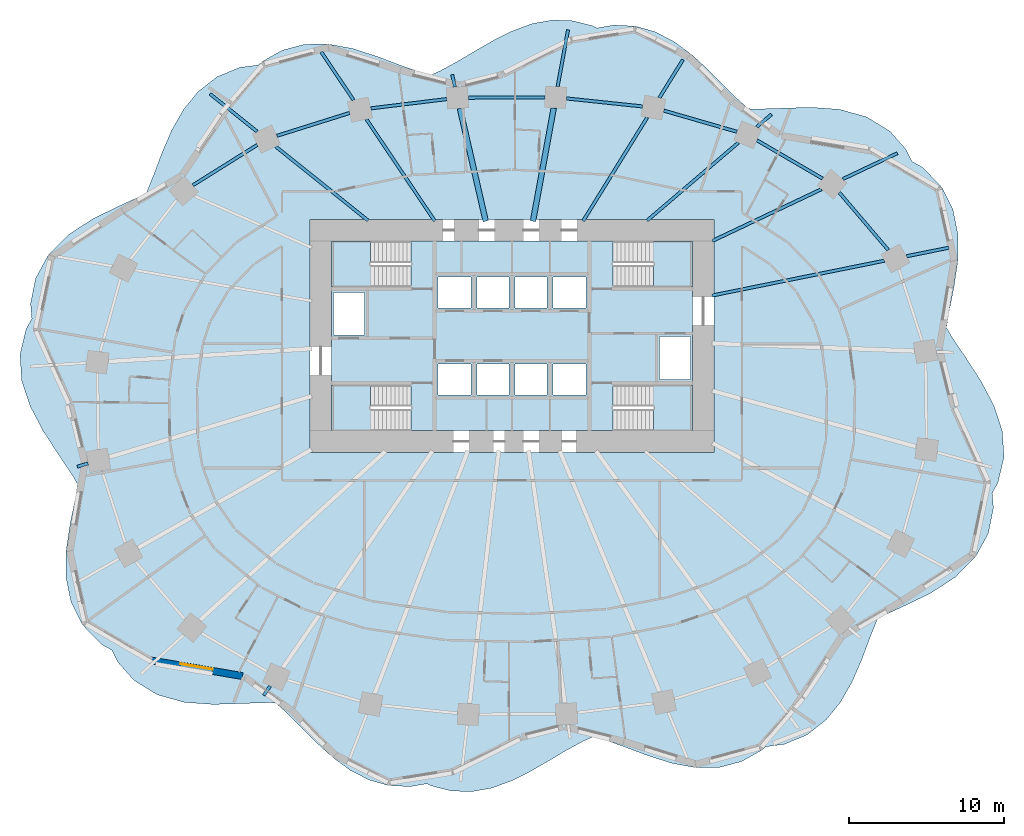
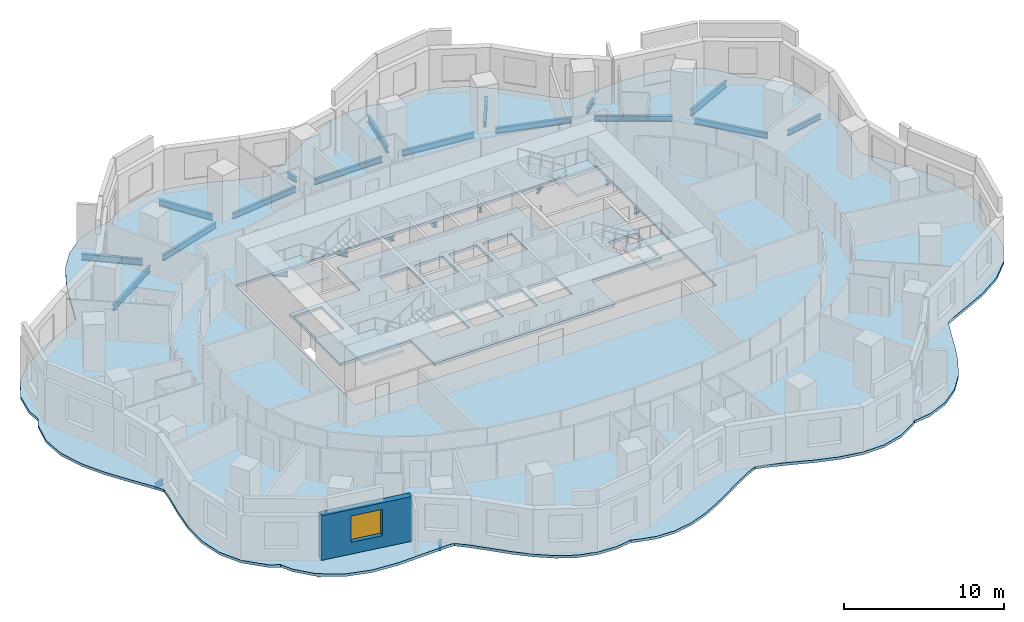
# One storey, part 2 of 11: 26 beams, 6 slabs, 1 wall, 1 window, 1 opening, 4 elements without a shape of their own.
"""IFC4 building model written with IfcOpenShell, lengths in metres."""

from ifc_helpers import new_model, si_unit, direction, frame, frame_2d, origin, origin_2d, place, context, subcontext, project, spatial, polyline, rectangle, i_section, outline, extrude, material, layer, layer_set, material_profile, profile_set, type_object, element, fill, aggregate, save


model = new_model("IFC4")

# Units and contexts
model_context = context("Model", 3, precision=1e-05, world=origin(), true_north=direction((0.0, 1.0)))
body_context = subcontext(model_context, "Body", "Model", "MODEL_VIEW")
ifc_project = project(units=[si_unit("LENGTHUNIT", "METRE"), si_unit("AREAUNIT", "SQUARE_METRE"), si_unit("VOLUMEUNIT", "CUBIC_METRE"), si_unit("PLANEANGLEUNIT", "RADIAN"), si_unit("MASSUNIT", "GRAM", prefix="KILO")], contexts=[model_context])

# Site, building, storey
site_placement = place(None, origin())
site = spatial("IfcSite", under=ifc_project, at=site_placement, CompositionType="ELEMENT")
building_placement = place(site_placement, origin())
building = spatial("IfcBuilding", under=site, at=building_placement, Name="Rubra Terraces Tower", CompositionType="ELEMENT")
storey_placement = place(building_placement, frame((0.0, 0.0, 48.300048828125)))
storey = spatial("IfcBuildingStorey", under=building, at=storey_placement, Name="L09", CompositionType="ELEMENT", Elevation=48.300048828125)

# Beams
ifc_material_1 = material(Name="Steel Q355B", Category="steel")
ifc_material_profile_1 = material_profile(ifc_material_1, i_section(OverallWidth=0.199951171875, OverallDepth=0.39990234375, WebThickness=0.008056640625, FlangeThickness=0.012939453125, at=origin_2d()), Name="HN 400x200x8x13")
ifc_profile_set_1 = profile_set([ifc_material_profile_1], Name="Steel Q355B")
beam_type_1 = type_object("IfcBeamType", Name="CANTILEVER BEAM HN 400x200x8x13", PredefinedType="BEAM", material=ifc_profile_set_1)
beam_1_placement = place(storey_placement, frame((25.39599609375, 9.6279296875, -0.400146484375), z_axis=(0.980181580979, 0.198101156761, 0.0), x_axis=(-0.198101156761, 0.980181580979, 0.0)))
element("IfcBeam", 1, at=beam_1_placement, inside=storey, type_object=beam_type_1, Name="beam-L09-cant-02", PredefinedType="BEAM", context=body_context, shape_type="SweptSolid", body=[
    extrude(i_section(OverallWidth=0.199951171875, OverallDepth=0.39990234375, WebThickness=0.008056640625, FlangeThickness=0.012939453125, at=origin_2d()), origin(), (0.0, 0.0, 1.0), 2.766845703125),
])
beam_2_placement = place(storey_placement, frame((9.488037109375, 19.827880859375, -0.400146484375), z_axis=(0.526185063257, 0.850370083673, 0.0), x_axis=(-0.850370083673, 0.526185063257, 0.0)))
element("IfcBeam", 2, at=beam_2_placement, inside=storey, type_object=beam_type_1, Name="beam-L09-cant-05", PredefinedType="BEAM", context=body_context, shape_type="SweptSolid", body=[
    extrude(i_section(OverallWidth=0.199951171875, OverallDepth=0.39990234375, WebThickness=0.008056640625, FlangeThickness=0.012939453125, at=origin_2d()), origin(), (0.0, 0.0, 1.0), 2.875244140625),
])
ifc_material_profile_2 = material_profile(ifc_material_1, i_section(OverallWidth=0.198974609375, OverallDepth=0.49609375, WebThickness=0.009033203125, FlangeThickness=0.013916015625, at=origin_2d()), Name="HN 496x199x9x14")
ifc_profile_set_2 = profile_set([ifc_material_profile_2], Name="Steel Q355B")
beam_type_2 = type_object("IfcBeamType", Name="CANTILEVER BEAM HN 496x199x9x14", PredefinedType="BEAM", material=ifc_profile_set_2)
beam_3_placement = place(storey_placement, frame((21.2958984375, 14.595947265625, -0.447998046875), z_axis=(0.903605833067, 0.428364912717, 0.0), x_axis=(-0.428364912717, 0.903605833067, 0.0)))
element("IfcBeam", 3, at=beam_3_placement, inside=storey, type_object=beam_type_2, Name="beam-L09-cant-03", PredefinedType="BEAM", context=body_context, shape_type="SweptSolid", body=[
    extrude(i_section(OverallWidth=0.198974609375, OverallDepth=0.49609375, WebThickness=0.009033203125, FlangeThickness=0.013916015625, at=origin_2d()), origin(), (0.0, 0.0, 1.0), 3.880126953125),
])
beam_4_placement = place(storey_placement, frame((2.93798828125, 20.549072265625, -0.447998046875), z_axis=(0.180160105154, 0.983637299268, 0.0), x_axis=(-0.983637299268, 0.180160105154, 0.0)))
element("IfcBeam", 4, at=beam_4_placement, inside=storey, type_object=beam_type_2, Name="beam-L09-cant-06", PredefinedType="BEAM", context=body_context, shape_type="SweptSolid", body=[
    extrude(i_section(OverallWidth=0.198974609375, OverallDepth=0.49609375, WebThickness=0.009033203125, FlangeThickness=0.013916015625, at=origin_2d()), origin(), (0.0, 0.0, 1.0), 3.70751953125),
])
beam_5_placement = place(storey_placement, frame((-10.199951171875, 19.68310546875, -0.447998046875), z_axis=(-0.557568984544, 0.830130608684, 0.0), x_axis=(-0.830130608684, -0.557568984544, 0.0)))
element("IfcBeam", 5, at=beam_5_placement, inside=storey, type_object=beam_type_2, Name="beam-L09-cant-08", PredefinedType="BEAM", context=body_context, shape_type="SweptSolid", body=[
    extrude(i_section(OverallWidth=0.198974609375, OverallDepth=0.49609375, WebThickness=0.009033203125, FlangeThickness=0.013916015625, at=origin_2d()), origin(), (0.0, 0.0, 1.0), 3.72705078125),
])
beam_6_placement = place(storey_placement, frame((-16.408935546875, 17.654052734375, -0.447998046875), z_axis=(-0.780303082646, 0.625401550376, 0.0), x_axis=(-0.625401550376, -0.780303082646, 0.0)))
element("IfcBeam", 6, at=beam_6_placement, inside=storey, type_object=beam_type_2, Name="beam-L09-cant-09", PredefinedType="BEAM", context=body_context, shape_type="SweptSolid", body=[
    extrude(i_section(OverallWidth=0.198974609375, OverallDepth=0.49609375, WebThickness=0.009033203125, FlangeThickness=0.013916015625, at=origin_2d()), origin(), (0.0, 0.0, 1.0), 3.875732421875),
])
ifc_material_profile_3 = material_profile(ifc_material_1, i_section(OverallWidth=0.199951171875, OverallDepth=0.39990234375, WebThickness=0.008056640625, FlangeThickness=0.012939453125, at=origin_2d()), Name="HN 400x200x8x13")
ifc_profile_set_3 = profile_set([ifc_material_profile_3], Name="Steel Q355B")
beam_type_3 = type_object("IfcBeamType", Name="CANTILEVER STUB HN 400x200x8x13", PredefinedType="BEAM", material=ifc_profile_set_3)
beam_7_placement = place(storey_placement, frame((15.7509765625, 17.947998046875, -0.400146484375), z_axis=(0.760363583826, 0.649497667733, 0.0), x_axis=(-0.649497667733, 0.760363583826, 0.0)))
element("IfcBeam", 7, at=beam_7_placement, inside=storey, type_object=beam_type_3, Name="beam-L09-cant-04", PredefinedType="BEAM", context=body_context, shape_type="SweptSolid", body=[
    extrude(i_section(OverallWidth=0.199951171875, OverallDepth=0.39990234375, WebThickness=0.008056640625, FlangeThickness=0.012939453125, at=origin_2d()), origin(), (0.0, 0.0, 1.0), 1.244140625),
])
beam_8_placement = place(storey_placement, frame((-3.6669921875, 20.514892578125, -0.400146484375), z_axis=(-0.223130131907, 0.974788666448, 0.0), x_axis=(-0.974788666448, -0.223130131907, 0.0)))
element("IfcBeam", 8, at=beam_8_placement, inside=storey, type_object=beam_type_3, Name="beam-L09-cant-07", PredefinedType="BEAM", context=body_context, shape_type="SweptSolid", body=[
    extrude(i_section(OverallWidth=0.199951171875, OverallDepth=0.39990234375, WebThickness=0.008056640625, FlangeThickness=0.012939453125, at=origin_2d()), origin(), (0.0, 0.0, 1.0), 0.824951171875),
])
beam_9_placement = place(storey_placement, frame((-27.281005859375, -3.7060546875, -0.400146484375), z_axis=(-0.957469690609, -0.288533865542, 0.0), x_axis=(0.288533865542, -0.957469690609, 0.0)))
element("IfcBeam", 9, at=beam_9_placement, inside=storey, type_object=beam_type_3, Name="beam-L09-cant-13", PredefinedType="BEAM", context=body_context, shape_type="SweptSolid", body=[
    extrude(i_section(OverallWidth=0.199951171875, OverallDepth=0.39990234375, WebThickness=0.008056640625, FlangeThickness=0.012939453125, at=origin_2d()), origin(), (0.0, 0.0, 1.0), 0.717529296875),
])
beam_10_placement = place(storey_placement, frame((-15.56298828125, -18.029052734375, -0.400146484375), z_axis=(-0.568771862846, -0.822495330099, 0.0), x_axis=(0.822495330099, -0.568771862846, 0.0)))
element("IfcBeam", 10, at=beam_10_placement, inside=storey, type_object=beam_type_3, Name="beam-L09-cant-16", PredefinedType="BEAM", context=body_context, shape_type="SweptSolid", body=[
    extrude(i_section(OverallWidth=0.199951171875, OverallDepth=0.39990234375, WebThickness=0.008056640625, FlangeThickness=0.012939453125, at=origin_2d()), origin(), (0.0, 0.0, 1.0), 0.724609375),
])
ifc_material_profile_4 = material_profile(ifc_material_1, i_section(OverallWidth=0.199951171875, OverallDepth=0.39990234375, WebThickness=0.008056640625, FlangeThickness=0.012939453125, at=origin_2d()), Name="HN 400x200x8x13")
ifc_profile_set_4 = profile_set([ifc_material_profile_4], Name="Steel Q355B")
beam_type_4 = type_object("IfcBeamType", Name="FLOOR BEAM HN 400x200x8x13", PredefinedType="BEAM", material=ifc_profile_set_4)
beam_11_placement = place(storey_placement, frame((19.904052734375, 13.93603515625, -0.400146484375), z_axis=(-0.903612237836, -0.428351402045, 0.0), x_axis=(0.428351402045, -0.903612237836, 0.0)))
element("IfcBeam", 11, at=beam_11_placement, inside=storey, type_object=beam_type_4, Name="beam-L09-floor-03", PredefinedType="BEAM", context=body_context, shape_type="SweptSolid", body=[
    extrude(i_section(OverallWidth=0.199951171875, OverallDepth=0.39990234375, WebThickness=0.008056640625, FlangeThickness=0.012939453125, at=origin_2d()), origin(), (0.0, 0.0, 1.0), 7.760009765625),
])
beam_12_placement = place(storey_placement, frame((14.56298828125, 16.93408203125, -0.400146484375), z_axis=(-0.760494401061, -0.649344489431, 0.0), x_axis=(0.649344489431, -0.760494401061, 0.0)))
element("IfcBeam", 12, at=beam_12_placement, inside=storey, type_object=beam_type_4, Name="beam-L09-floor-04", PredefinedType="BEAM", context=body_context, shape_type="SweptSolid", body=[
    extrude(i_section(OverallWidth=0.199951171875, OverallDepth=0.39990234375, WebThickness=0.008056640625, FlangeThickness=0.012939453125, at=origin_2d()), origin(), (0.0, 0.0, 1.0), 7.718505859375),
])
beam_13_placement = place(storey_placement, frame((8.699951171875, 18.555908203125, -0.400146484375), z_axis=(-0.526285914839, -0.850307671283, 0.0), x_axis=(0.850307671283, -0.526285914839, 0.0)))
element("IfcBeam", 13, at=beam_13_placement, inside=storey, type_object=beam_type_4, Name="beam-L09-floor-05", PredefinedType="BEAM", context=body_context, shape_type="SweptSolid", body=[
    extrude(i_section(OverallWidth=0.199951171875, OverallDepth=0.39990234375, WebThickness=0.008056640625, FlangeThickness=0.012939453125, at=origin_2d()), origin(), (0.0, 0.0, 1.0), 7.830078125),
])
beam_14_placement = place(storey_placement, frame((-9.360107421875, 18.43310546875, -0.400146484375), z_axis=(0.557574689395, -0.830126776912, 0.0), x_axis=(0.830126776912, 0.557574689395, 0.0)))
element("IfcBeam", 14, at=beam_14_placement, inside=storey, type_object=beam_type_4, Name="beam-L09-floor-08", PredefinedType="BEAM", context=body_context, shape_type="SweptSolid", body=[
    extrude(i_section(OverallWidth=0.199951171875, OverallDepth=0.39990234375, WebThickness=0.008056640625, FlangeThickness=0.012939453125, at=origin_2d()), origin(), (0.0, 0.0, 1.0), 7.8701171875),
])
beam_15_placement = place(storey_placement, frame((-15.18896484375, 16.676025390625, -0.400146484375), z_axis=(0.780266406942, -0.625447307291, 0.0), x_axis=(0.625447307291, 0.780266406942, 0.0)))
element("IfcBeam", 15, at=beam_15_placement, inside=storey, type_object=beam_type_4, Name="beam-L09-floor-09", PredefinedType="BEAM", context=body_context, shape_type="SweptSolid", body=[
    extrude(i_section(OverallWidth=0.199951171875, OverallDepth=0.39990234375, WebThickness=0.008056640625, FlangeThickness=0.012939453125, at=origin_2d()), origin(), (0.0, 0.0, 1.0), 7.59619140625),
])
ifc_material_profile_5 = material_profile(ifc_material_1, i_section(OverallWidth=0.198974609375, OverallDepth=0.49609375, WebThickness=0.009033203125, FlangeThickness=0.013916015625, at=origin_2d()), Name="HN 496x199x9x14")
ifc_profile_set_5 = profile_set([ifc_material_profile_5], Name="Steel Q355B")
beam_type_5 = type_object("IfcBeamType", Name="FLOOR BEAM HN 496x199x9x14", PredefinedType="BEAM", material=ifc_profile_set_5)
beam_16_placement = place(storey_placement, frame((23.9560546875, 9.337890625, -0.447998046875), z_axis=(-0.980204035637, -0.197990021264, 0.0), x_axis=(0.197990021264, -0.980204035637, 0.0)))
element("IfcBeam", 16, at=beam_16_placement, inside=storey, type_object=beam_type_5, Name="beam-L09-floor-02", PredefinedType="BEAM", context=body_context, shape_type="SweptSolid", body=[
    extrude(i_section(OverallWidth=0.198974609375, OverallDepth=0.49609375, WebThickness=0.009033203125, FlangeThickness=0.013916015625, at=origin_2d()), origin(), (0.0, 0.0, 1.0), 11.297607421875),
])
ifc_material_profile_6 = material_profile(ifc_material_1, i_section(OverallWidth=0.35009765625, OverallDepth=0.35009765625, WebThickness=0.011962890625, FlangeThickness=0.01904296875, at=origin_2d()), Name="HW 350x350x12x19")
ifc_profile_set_6 = profile_set([ifc_material_profile_6], Name="Steel Q355B")
beam_type_6 = type_object("IfcBeamType", Name="FLOOR BEAM HW 350x350x12x19", PredefinedType="BEAM", material=ifc_profile_set_6)
beam_17_placement = place(storey_placement, frame((2.68408203125, 19.158935546875, -0.375), z_axis=(-0.180186319425, -0.983632497578, 0.0), x_axis=(0.983632497578, -0.180186319425, 0.0)))
element("IfcBeam", 17, at=beam_17_placement, inside=storey, type_object=beam_type_6, Name="beam-L09-floor-06", PredefinedType="BEAM", context=body_context, shape_type="SweptSolid", body=[
    extrude(i_section(OverallWidth=0.35009765625, OverallDepth=0.35009765625, WebThickness=0.011962890625, FlangeThickness=0.01904296875, at=origin_2d()), origin(), (0.0, 0.0, 1.0), 7.39794921875),
])
beam_18_placement = place(storey_placement, frame((-3.35107421875, 19.133056640625, -0.375), z_axis=(0.223209821828, -0.974770421914, 0.0), x_axis=(0.974770421914, 0.223209821828, 0.0)))
element("IfcBeam", 18, at=beam_18_placement, inside=storey, type_object=beam_type_6, Name="beam-L09-floor-07", PredefinedType="BEAM", context=body_context, shape_type="SweptSolid", body=[
    extrude(i_section(OverallWidth=0.35009765625, OverallDepth=0.35009765625, WebThickness=0.011962890625, FlangeThickness=0.01904296875, at=origin_2d()), origin(), (0.0, 0.0, 1.0), 7.437744140625),
])
ifc_material_profile_7 = material_profile(ifc_material_1, i_section(OverallWidth=0.198974609375, OverallDepth=0.446044921875, WebThickness=0.008056640625, FlangeThickness=0.011962890625, at=origin_2d()), Name="HN 446x199x8x12")
ifc_profile_set_7 = profile_set([ifc_material_profile_7], Name="Steel Q355B")
beam_type_7 = type_object("IfcBeamType", Name="SPANDREL BEAM HN 446x199x8x12", PredefinedType="SPANDREL", material=ifc_profile_set_7)
beam_19_placement = place(storey_placement, frame((24.212890625, 10.02587890625, -0.423095703125), z_axis=(-0.648447050824, 0.761259760054, 0.0), x_axis=(-0.761259760054, -0.648447050824, 0.0)))
element("IfcBeam", 19, at=beam_19_placement, inside=storey, type_object=beam_type_7, Name="beam-L09-spandrel-02", PredefinedType="SPANDREL", context=body_context, shape_type="SweptSolid", body=[
    extrude(i_section(OverallWidth=0.198974609375, OverallDepth=0.446044921875, WebThickness=0.008056640625, FlangeThickness=0.011962890625, at=origin_2d()), origin(), (0.0, 0.0, 1.0), 4.860595703125),
])
beam_20_placement = place(storey_placement, frame((19.987060546875, 14.6240234375, -0.423095703125), z_axis=(-0.863806081452, 0.503824427402, 0.0), x_axis=(-0.503824427402, -0.863806081452, 0.0)))
element("IfcBeam", 20, at=beam_20_placement, inside=storey, type_object=beam_type_7, Name="beam-L09-spandrel-03", PredefinedType="SPANDREL", context=body_context, shape_type="SweptSolid", body=[
    extrude(i_section(OverallWidth=0.198974609375, OverallDepth=0.446044921875, WebThickness=0.008056640625, FlangeThickness=0.011962890625, at=origin_2d()), origin(), (0.0, 0.0, 1.0), 4.886474609375),
])
beam_21_placement = place(storey_placement, frame((14.47900390625, 17.636962890625, -0.423095703125), z_axis=(-0.960743980202, 0.277436487337, 0.0), x_axis=(-0.277436487337, -0.960743980202, 0.0)))
element("IfcBeam", 21, at=beam_21_placement, inside=storey, type_object=beam_type_7, Name="beam-L09-spandrel-04", PredefinedType="SPANDREL", context=body_context, shape_type="SweptSolid", body=[
    extrude(i_section(OverallWidth=0.198974609375, OverallDepth=0.446044921875, WebThickness=0.008056640625, FlangeThickness=0.011962890625, at=origin_2d()), origin(), (0.0, 0.0, 1.0), 4.90234375),
])
beam_22_placement = place(storey_placement, frame((8.39501953125, 19.26611328125, -0.423095703125), z_axis=(-0.994495375694, 0.104780473964, 0.0), x_axis=(-0.104780473964, -0.994495375694, 0.0)))
element("IfcBeam", 22, at=beam_22_placement, inside=storey, type_object=beam_type_7, Name="beam-L09-spandrel-05", PredefinedType="SPANDREL", context=body_context, shape_type="SweptSolid", body=[
    extrude(i_section(OverallWidth=0.198974609375, OverallDepth=0.446044921875, WebThickness=0.008056640625, FlangeThickness=0.011962890625, at=origin_2d()), origin(), (0.0, 0.0, 1.0), 4.9140625),
])
beam_23_placement = place(storey_placement, frame((2.110107421875, 19.85107421875, -0.423095703125), z_axis=(-0.999987924698, -0.004914311469, 0.0), x_axis=(0.004914311469, -0.999987924698, 0.0)))
element("IfcBeam", 23, at=beam_23_placement, inside=storey, type_object=beam_type_7, Name="beam-L09-spandrel-06", PredefinedType="SPANDREL", context=body_context, shape_type="SweptSolid", body=[
    extrude(i_section(OverallWidth=0.198974609375, OverallDepth=0.446044921875, WebThickness=0.008056640625, FlangeThickness=0.011962890625, at=origin_2d()), origin(), (0.0, 0.0, 1.0), 4.918212890625),
])
beam_24_placement = place(storey_placement, frame((-4.205078125, 19.739013671875, -0.423095703125), z_axis=(-0.992616576014, -0.12129440639, 0.0), x_axis=(0.12129440639, -0.992616576014, 0.0)))
element("IfcBeam", 24, at=beam_24_placement, inside=storey, type_object=beam_type_7, Name="beam-L09-spandrel-07", PredefinedType="SPANDREL", context=body_context, shape_type="SweptSolid", body=[
    extrude(i_section(OverallWidth=0.198974609375, OverallDepth=0.446044921875, WebThickness=0.008056640625, FlangeThickness=0.011962890625, at=origin_2d()), origin(), (0.0, 0.0, 1.0), 4.913330078125),
])
beam_25_placement = place(storey_placement, frame((-10.450927734375, 18.846923828125, -0.423095703125), z_axis=(-0.953954624663, -0.299950952796, 0.0), x_axis=(0.299950952796, -0.953954624663, 0.0)))
element("IfcBeam", 25, at=beam_25_placement, inside=storey, type_object=beam_type_7, Name="beam-L09-spandrel-08", PredefinedType="SPANDREL", context=body_context, shape_type="SweptSolid", body=[
    extrude(i_section(OverallWidth=0.198974609375, OverallDepth=0.446044921875, WebThickness=0.008056640625, FlangeThickness=0.011962890625, at=origin_2d()), origin(), (0.0, 0.0, 1.0), 4.900634765625),
])
beam_26_placement = place(storey_placement, frame((-16.39697265625, 16.7900390625, -0.423095703125), z_axis=(-0.847078460197, -0.531467856291, 0.0), x_axis=(0.531467856291, -0.847078460197, 0.0)))
element("IfcBeam", 26, at=beam_26_placement, inside=storey, type_object=beam_type_7, Name="beam-L09-spandrel-09", PredefinedType="SPANDREL", context=body_context, shape_type="SweptSolid", body=[
    extrude(i_section(OverallWidth=0.198974609375, OverallDepth=0.446044921875, WebThickness=0.008056640625, FlangeThickness=0.011962890625, at=origin_2d()), origin(), (0.0, 0.0, 1.0), 4.882568359375),
])

# Slab
ifc_material_2 = material(Name="Concrete C40", Category="concrete")
ifc_layer_1 = layer(ifc_material_2, 0.199951171875)
ifc_layer_set_1 = layer_set([ifc_layer_1], Name="Concrete C40")
slab_type_1 = type_object("IfcSlabType", Name="Core floor slab 200 concrete", PredefinedType="FLOOR", material=ifc_layer_set_1)
slab_1_placement = place(storey_placement, frame((0.0, 0.0, -0.199951171875)))
element("IfcSlab", 27, at=slab_1_placement, inside=storey, type_object=slab_type_1, Name="CORE FLOOR SLAB L09", PredefinedType="FLOOR", context=body_context, shape_type="SweptSolid", body=[
    extrude(outline(polyline([(-11.60009765625, 1.347900390625), (-11.60009765625, 7.652099609375), (-6.501953125, 7.652099609375), (-6.501953125, 10.60009765625), (6.501953125, 10.60009765625), (6.501953125, 7.652099609375), (11.60009765625, 7.652099609375), (11.60009765625, 1.347900390625), (6.501953125, 1.347900390625), (6.501953125, -1.60009765625), (-6.501953125, -1.60009765625), (-6.501953125, 1.347900390625), (-11.60009765625, 1.347900390625)]), holes=[polyline([(9.5, 1.699951171875), (11.5, 1.699951171875), (11.5, 4.449951171875), (9.5, 4.449951171875), (9.5, 1.699951171875)]), polyline([(4.75, 0.699951171875), (4.75, 2.699951171875), (2.64990234375, 2.699951171875), (2.64990234375, 0.699951171875), (4.75, 0.699951171875)]), polyline([(4.75, 6.300048828125), (4.75, 8.300048828125), (2.64990234375, 8.300048828125), (2.64990234375, 6.300048828125), (4.75, 6.300048828125)]), polyline([(2.25, 0.699951171875), (2.25, 2.699951171875), (0.199951171875, 2.699951171875), (0.199951171875, 0.699951171875), (2.25, 0.699951171875)]), polyline([(2.25, 6.300048828125), (2.25, 8.300048828125), (0.199951171875, 8.300048828125), (0.199951171875, 6.300048828125), (2.25, 6.300048828125)]), polyline([(-0.199951171875, 0.699951171875), (-0.199951171875, 2.699951171875), (-2.25, 2.699951171875), (-2.25, 0.699951171875), (-0.199951171875, 0.699951171875)]), polyline([(-0.199951171875, 6.300048828125), (-0.199951171875, 8.300048828125), (-2.25, 8.300048828125), (-2.25, 6.300048828125), (-0.199951171875, 6.300048828125)]), polyline([(-2.64990234375, 0.699951171875), (-2.64990234375, 2.699951171875), (-4.75, 2.699951171875), (-4.75, 0.699951171875), (-2.64990234375, 0.699951171875)]), polyline([(-2.64990234375, 8.300048828125), (-4.75, 8.300048828125), (-4.75, 6.300048828125), (-2.64990234375, 6.300048828125), (-2.64990234375, 8.300048828125)]), polyline([(-9.5, 7.300048828125), (-11.5, 7.300048828125), (-11.5, 4.550048828125), (-9.5, 4.550048828125), (-9.5, 7.300048828125)])]), origin(), (0.0, 0.0, 1.0), 0.199951171875),
])

# Stair, slab
stair_type = type_object("IfcStairType", Name="Core stair 1400", PredefinedType="HALF_TURN_STAIR", material=ifc_material_2)
stair_1_placement = place(storey_placement, origin())
stair_1 = element("IfcStair", 28, at=stair_1_placement, inside=storey, type_object=stair_type, Name="L09 Exit stair S1", PredefinedType="HALF_TURN_STAIR")
ifc_layer_2 = layer(ifc_material_2, 0.199951171875)
ifc_layer_set_2 = layer_set([ifc_layer_2], Name="Concrete C40")
slab_type_2 = type_object("IfcSlabType", Name="Core stair landing 200", PredefinedType="LANDING", material=ifc_layer_set_2)
slab_2_placement = place(storey_placement, frame((0.0, 0.0, 1.599853515625)))
slab_2 = element("IfcSlab", 29, at=slab_2_placement, type_object=slab_type_2, Name="S1 landing 1", PredefinedType="LANDING", context=body_context, shape_type="SweptSolid", body=[
    extrude(outline(polyline([(-8.719970703125, -0.199951171875), (-8.719970703125, -1.60009765625), (-9.10009765625, -1.60009765625), (-9.1201171875, -1.60009765625), (-11.60009765625, -1.60009765625), (-11.60009765625, 1.35009765625), (-9.1201171875, 1.35009765625), (-9.097900390625, 1.35009765625), (-9.097900390625, -0.050048828125), (-9.10009765625, -0.050048828125), (-9.10009765625, -0.199951171875), (-8.719970703125, -0.199951171875)])), origin(), (0.0, 0.0, 1.0), 0.2001953125),
])
aggregate(stair_1, [slab_2])

stair_2_placement = place(storey_placement, origin())
stair_2 = element("IfcStair", 30, at=stair_2_placement, inside=storey, type_object=stair_type, Name="L09 Exit stair S2", PredefinedType="HALF_TURN_STAIR")
slab_3_placement = place(storey_placement, frame((0.0, 0.0, 1.599853515625)))
slab_3 = element("IfcSlab", 31, at=slab_3_placement, type_object=slab_type_2, Name="S2 landing 1", PredefinedType="LANDING", context=body_context, shape_type="SweptSolid", body=[
    extrude(outline(polyline([(-8.719970703125, 9.050048828125), (-8.719970703125, 7.64990234375), (-9.1201171875, 7.64990234375), (-11.60009765625, 7.64990234375), (-11.60009765625, 10.60009765625), (-9.1201171875, 10.60009765625), (-9.10009765625, 10.60009765625), (-9.097900390625, 10.60009765625), (-9.097900390625, 9.199951171875), (-9.10009765625, 9.199951171875), (-9.10009765625, 9.050048828125), (-8.719970703125, 9.050048828125)])), origin(), (0.0, 0.0, 1.0), 0.2001953125),
])
aggregate(stair_2, [slab_3])

stair_3_placement = place(storey_placement, origin())
stair_3 = element("IfcStair", 32, at=stair_3_placement, inside=storey, type_object=stair_type, Name="L09 Exit stair S3", PredefinedType="HALF_TURN_STAIR")
slab_4_placement = place(storey_placement, frame((0.0, 0.0, 1.599853515625)))
slab_4 = element("IfcSlab", 33, at=slab_4_placement, type_object=slab_type_2, Name="S3 landing 1", PredefinedType="LANDING", context=body_context, shape_type="SweptSolid", body=[
    extrude(outline(polyline([(9.10009765625, 9.050048828125), (9.10009765625, 9.199951171875), (8.719970703125, 9.199951171875), (8.719970703125, 10.60009765625), (9.10009765625, 10.60009765625), (9.1201171875, 10.60009765625), (11.60009765625, 10.60009765625), (11.60009765625, 7.64990234375), (9.1201171875, 7.64990234375), (9.097900390625, 7.64990234375), (9.097900390625, 9.050048828125), (9.10009765625, 9.050048828125)])), origin(), (0.0, 0.0, 1.0), 0.2001953125),
])
aggregate(stair_3, [slab_4])

stair_4_placement = place(storey_placement, origin())
stair_4 = element("IfcStair", 34, at=stair_4_placement, inside=storey, type_object=stair_type, Name="L09 Exit stair S4", PredefinedType="HALF_TURN_STAIR")
slab_5_placement = place(storey_placement, frame((0.0, 0.0, 1.599853515625)))
slab_5 = element("IfcSlab", 35, at=slab_5_placement, type_object=slab_type_2, Name="S4 landing 1", PredefinedType="LANDING", context=body_context, shape_type="SweptSolid", body=[
    extrude(outline(polyline([(9.10009765625, -0.199951171875), (9.10009765625, -0.050048828125), (8.719970703125, -0.050048828125), (8.719970703125, 1.35009765625), (9.10009765625, 1.35009765625), (9.1201171875, 1.35009765625), (11.60009765625, 1.35009765625), (11.60009765625, -1.60009765625), (9.1201171875, -1.60009765625), (9.10009765625, -1.60009765625), (9.097900390625, -1.60009765625), (9.097900390625, -0.199951171875), (9.10009765625, -0.199951171875)])), origin(), (0.0, 0.0, 1.0), 0.2001953125),
])
aggregate(stair_4, [slab_5])

# Slab
ifc_layer_3 = layer(ifc_material_2, 0.199951171875)
ifc_layer_set_3 = layer_set([ifc_layer_3], Name="Concrete C40")
slab_type_3 = type_object("IfcSlabType", Name="FLOOR SLAB 200 COMPOSITE", PredefinedType="FLOOR", material=ifc_layer_set_3)
slab_6_placement = place(storey_placement, frame((0.0, 0.0, -0.199951171875)))
element("IfcSlab", 36, at=slab_6_placement, inside=storey, type_object=slab_type_3, Name="FLOOR SLAB L09", PredefinedType="FLOOR", context=body_context, shape_type="SweptSolid", body=[
    extrude(outline(polyline([(16.090087890625, -22.14599609375), (16.326904296875, -21.93603515625), (17.5390625, -21.77294921875), (18.971923828125, -21.178955078125), (20.2109375, -20.2109375), (21.14599609375, -19.06005859375), (21.89794921875, -17.738037109375), (22.5, -16.346923828125), (23.052001953125, -14.8720703125), (23.52587890625, -13.69189453125), (22.339111328125, -14.39599609375), (23.69091796875, -13.593994140625), (25.259033203125, -12.8701171875), (26.927001953125, -12.06298828125), (28.52490234375, -11.027099609375), (29.841064453125, -9.696044921875), (30.64990234375, -8.218994140625), (30.97998046875, -6.58203125), (30.89990234375, -5.60595703125), (31.26611328125, -4.951904296875), (31.658935546875, -3.304931640625), (31.553955078125, -1.6279296875), (31.01708984375, 0.0), (30.18896484375, 1.5830078125), (29.218994140625, 3.0830078125), (28.278076171875, 4.47900390625), (27.9609375, 5.033935546875), (27.866943359375, 4.4140625), (28.096923828125, 5.931884765625), (28.430908203125, 7.571044921875), (28.68896484375, 9.322021484375), (28.701904296875, 11.014892578125), (28.3720703125, 12.64111328125), (27.64599609375, 14.0859375), (26.4150390625, 15.35400390625), (24.833984375, 16.23095703125), (25.742919921875, 15.72705078125), (25.35205078125, 16.506103515625), (24.322021484375, 17.6708984375), (22.818115234375, 18.594970703125), (21.070068359375, 19.0810546875), (19.214111328125, 19.214111328125), (17.344970703125, 19.152099609375), (15.5859375, 19.094970703125), (15.199951171875, 19.1279296875), (15.444091796875, 18.908935546875), (14.409912109375, 19.833984375), (13.493896484375, 20.756103515625), (12.541015625, 21.712890625), (11.529052734375, 22.6279296875), (10.39892578125, 23.4560546875), (9.197998046875, 24.075927734375), (7.93896484375, 24.43408203125), (6.554931640625, 24.501953125), (5.47607421875, 24.31591796875), (5.162109375, 24.4599609375), (3.924072265625, 24.778076171875), (2.60888671875, 24.8291015625), (1.2958984375, 24.593994140625), (0.0, 24.116943359375), (-1.18896484375, 23.52099609375), (-2.362060546875, 22.844970703125), (-3.510009765625, 22.1630859375), (-4.60107421875, 21.56689453125), (-5.214111328125, 21.297119140625), (-5.819091796875, 21.444091796875), (-7.113037109375, 21.89306640625), (-8.662109375, 22.47900390625), (-10.257080078125, 22.992919921875), (-11.865966796875, 23.2880859375), (-13.365966796875, 23.261962890625), (-14.7890625, 22.881103515625), (-16.090087890625, 22.14599609375), (-16.326904296875, 21.93603515625), (-17.5390625, 21.77294921875), (-18.971923828125, 21.178955078125), (-20.2109375, 20.2109375), (-21.14599609375, 19.06005859375), (-21.89794921875, 17.738037109375), (-22.5, 16.346923828125), (-23.052001953125, 14.8720703125), (-23.52587890625, 13.69189453125), (-22.339111328125, 14.39599609375), (-23.69091796875, 13.593994140625), (-25.259033203125, 12.8701171875), (-26.927001953125, 12.06298828125), (-28.52490234375, 11.027099609375), (-29.841064453125, 9.696044921875), (-30.64990234375, 8.218994140625), (-30.97998046875, 6.58203125), (-30.89990234375, 5.60595703125), (-31.26611328125, 4.951904296875), (-31.658935546875, 3.304931640625), (-31.553955078125, 1.6279296875), (-31.01708984375, 0.0), (-30.18896484375, -1.5830078125), (-29.218994140625, -3.0830078125), (-28.278076171875, -4.47900390625), (-27.9609375, -5.033935546875), (-27.866943359375, -4.4140625), (-28.096923828125, -5.931884765625), (-28.430908203125, -7.571044921875), (-28.68896484375, -9.322021484375), (-28.701904296875, -11.014892578125), (-28.3720703125, -12.64111328125), (-27.64599609375, -14.0859375), (-26.4150390625, -15.35400390625), (-24.833984375, -16.23095703125), (-25.742919921875, -15.72705078125), (-25.35205078125, -16.506103515625), (-24.322021484375, -17.6708984375), (-22.818115234375, -18.594970703125), (-21.070068359375, -19.0810546875), (-19.214111328125, -19.214111328125), (-17.344970703125, -19.152099609375), (-15.5859375, -19.094970703125), (-15.199951171875, -19.1279296875), (-15.444091796875, -18.908935546875), (-14.409912109375, -19.833984375), (-13.493896484375, -20.756103515625), (-12.541015625, -21.712890625), (-11.529052734375, -22.6279296875), (-10.39892578125, -23.4560546875), (-9.197998046875, -24.075927734375), (-7.93896484375, -24.43408203125), (-6.554931640625, -24.501953125), (-5.47607421875, -24.31591796875), (-5.162109375, -24.4599609375), (-3.924072265625, -24.778076171875), (-2.60888671875, -24.8291015625), (-1.2958984375, -24.593994140625), (0.0, -24.116943359375), (1.18896484375, -23.52099609375), (2.362060546875, -22.844970703125), (3.510009765625, -22.1630859375), (4.60107421875, -21.56689453125), (5.214111328125, -21.297119140625), (5.819091796875, -21.444091796875), (7.113037109375, -21.89306640625), (8.662109375, -22.47900390625), (10.257080078125, -22.992919921875), (11.865966796875, -23.2880859375), (13.365966796875, -23.261962890625), (14.7890625, -22.881103515625), (16.090087890625, -22.14599609375)]), holes=[polyline([(13.0, 12.0), (13.0, -3.0), (-13.0, -3.0), (-13.0, 12.0), (13.0, 12.0)])]), origin(), (0.0, 0.0, 1.0), 0.199951171875),
])

# Wall, opening, window
ifc_material_3 = material(Name="Brick masonry red-brown", Category="masonry")
ifc_layer_4 = layer(ifc_material_3, 0.449951171875)
ifc_layer_set_4 = layer_set([ifc_layer_4], Name="Brick masonry red-brown")
wall_type = type_object("IfcWallType", Name="Brick facade wall 450", PredefinedType="SOLIDWALL", material=ifc_layer_set_4)
wall_placement = place(storey_placement, frame((-23.2841796875, -16.376220703125, 0.0), z_axis=(0.0, 0.0, 1.0), x_axis=(0.985861729428, -0.167560885797, 0.0)))
wall = element("IfcWall", 37, at=wall_placement, inside=storey, type_object=wall_type, Name="Facade wall L09 bay 25", PredefinedType="SOLIDWALL", context=body_context, shape_type="SweptSolid", body=[
    extrude(rectangle(XDim=6.033447265625, YDim=0.449951171875, at=frame_2d((3.0166015625, 0.0))), origin(), (0.0, 0.0, 1.0), 3.39990234375),
])
opening_placement = place(wall_placement, frame((1.966796875, 0.0, 0.89990234375)))
opening = element("IfcOpeningElement", 38, at=opening_placement, cuts=wall, Name="Opening W1", PredefinedType="OPENING", context=body_context, shape_type="SweptSolid", body=[
    extrude(rectangle(XDim=2.10009765625, YDim=2.0, at=frame_2d((1.050048828125, 1.0))), frame((0.0, 0.23486328125, 0.0), z_axis=(0.0, -1.0, 0.0), x_axis=(1.0, 0.0, 0.0)), (0.0, 0.0, 1.0), 0.469970703125),
])
ifc_material_4 = material(Name="Clear glass in aluminium frame", Category="aluminium")
window_type = type_object("IfcWindowType", Name="Fixed deep-set window 2100 x 2000", PartitioningType="SINGLE_PANEL", PredefinedType="WINDOW", material=ifc_material_4)
window_placement = place(opening_placement, origin())
window = element("IfcWindow", 39, at=window_placement, inside=storey, type_object=window_type, Name="Window L09 bay 25", OverallHeight=2.0, OverallWidth=2.10009765625, PartitioningType="SINGLE_PANEL", PredefinedType="WINDOW", context=body_context, shape_type="SweptSolid", body=[
    extrude(rectangle(XDim=2.10009765625, YDim=2.0, at=frame_2d((1.050048828125, 1.0))), frame((0.0, 0.135009765625, 0.0), z_axis=(0.0, -1.0, 0.0), x_axis=(1.0, 0.0, 0.0)), (0.0, 0.0, 1.0), 0.06005859375),
])
fill(opening, window)

save(model, "model.ifc")
